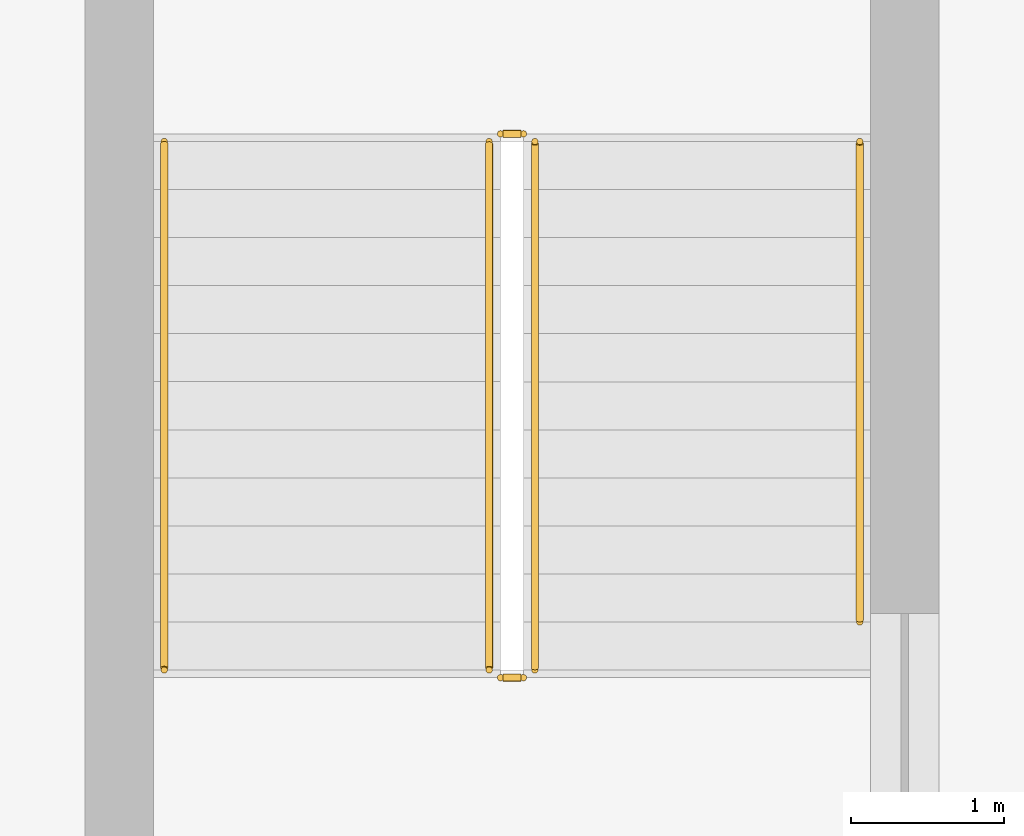
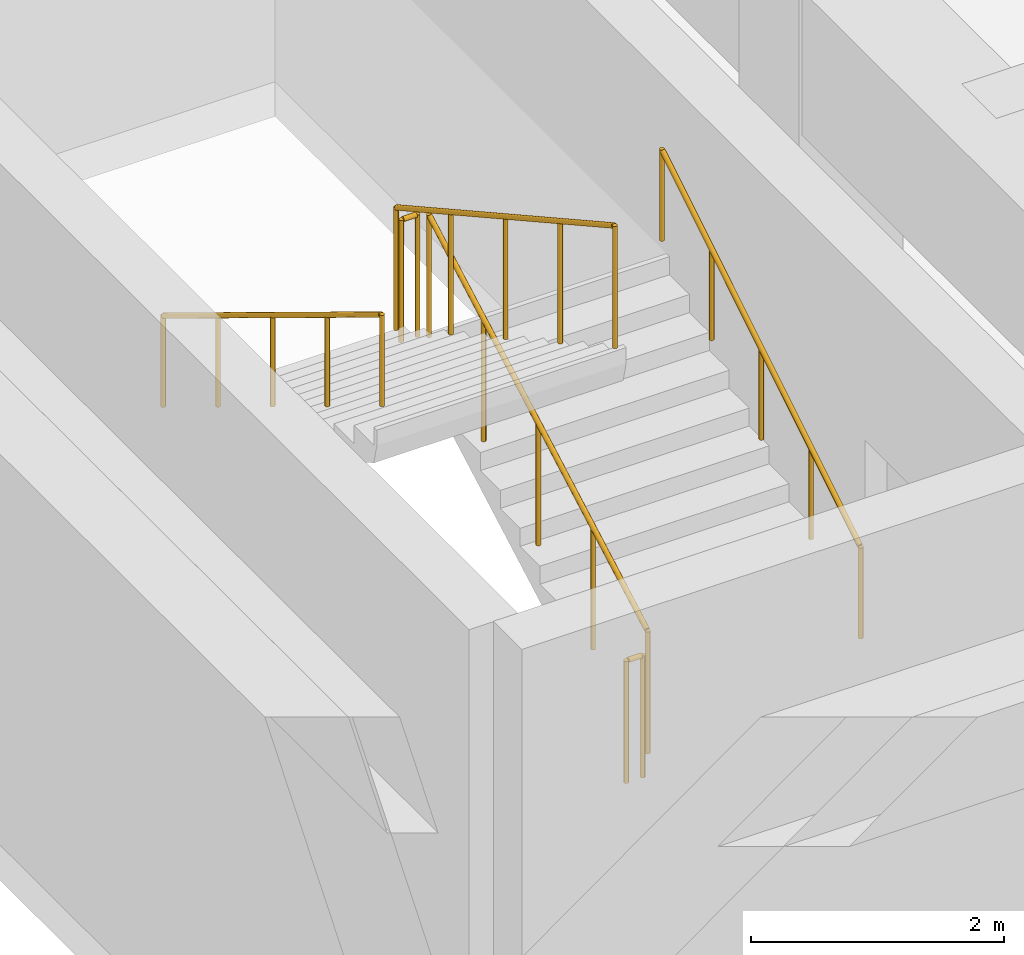
# One storey, part 21 of 39: 6 railings.
"""IFC4 building model written with IfcOpenShell, lengths in metres."""

from ifc_helpers import new_model, si_unit, direction, frame, origin, origin_2d, place, context, subcontext, project, spatial, circle, extrude, material, type_object, element, save


model = new_model("IFC4")

# Units and contexts
model_context = context("Model", 3, precision=1e-05, world=origin(), true_north=direction((0.0, 1.0)))
body_context = subcontext(model_context, "Body", "Model", "MODEL_VIEW")
ifc_project = project(units=[si_unit("LENGTHUNIT", "METRE"), si_unit("AREAUNIT", "SQUARE_METRE"), si_unit("VOLUMEUNIT", "CUBIC_METRE"), si_unit("PLANEANGLEUNIT", "RADIAN"), si_unit("MASSUNIT", "GRAM", prefix="KILO")], contexts=[model_context])

# Site, building, storey
site_placement = place(None, origin())
site = spatial("IfcSite", under=ifc_project, at=site_placement, CompositionType="ELEMENT")
building_placement = place(site_placement, origin())
building = spatial("IfcBuilding", under=site, at=building_placement, Name="Nakhvara Creek Congress Hotel", CompositionType="ELEMENT")
storey_placement = place(building_placement, frame((0.0, 0.0, -4.199951171875)))
storey = spatial("IfcBuildingStorey", under=building, at=storey_placement, Name="B1", CompositionType="ELEMENT", Elevation=-4.199951171875)

# Railings
ifc_material = material(Name="Brushed stainless steel 316L", Category="steel")
railing_type_1 = type_object("IfcRailingType", Name="RL-GUARD-1200", PredefinedType="GUARDRAIL", material=ifc_material)
railing_1_placement = place(storey_placement, frame((4.955078125, 38.679931640625, 0.175048828125)))
element("IfcRailing", 1, at=railing_1_placement, inside=storey, type_object=railing_type_1, Name="B1 ST05 stair guard 1", PredefinedType="GUARDRAIL", context=body_context, shape_type="SweptSolid", body=[
    extrude(circle(Radius=0.02392578125, at=origin_2d()), frame((0.0, 0.012939453125, 1.18310546875), z_axis=(0.0, 0.874183422646, 0.48559586445), x_axis=(-1.0, 0.0, 0.0)), (0.0, 0.0, 1.0), 3.934326171875),
    extrude(circle(Radius=0.02099609375, at=origin_2d()), origin(), (0.0, 0.0, 1.0), 1.1806640625),
    extrude(circle(Radius=0.02099609375, at=origin_2d()), frame((0.0, 0.8662109375, 0.481201171875)), (0.0, 0.0, 1.0), 1.1806640625),
    extrude(circle(Radius=0.02099609375, at=origin_2d()), frame((0.0, 1.732421875, 0.96240234375)), (0.0, 0.0, 1.0), 1.1806640625),
    extrude(circle(Radius=0.02099609375, at=origin_2d()), frame((0.0, 2.598876953125, 1.443603515625)), (0.0, 0.0, 1.0), 1.1806640625),
    extrude(circle(Radius=0.02099609375, at=origin_2d()), frame((0.0, 3.465087890625, 1.9248046875)), (0.0, 0.0, 1.0), 1.1806640625),
])
railing_2_placement = place(storey_placement, frame((4.8798828125, 42.195068359375, 2.099853515625)))
element("IfcRailing", 2, at=railing_2_placement, inside=storey, type_object=railing_type_1, Name="B1 ST05 stair guard 2", PredefinedType="GUARDRAIL", context=body_context, shape_type="SweptSolid", body=[
    extrude(circle(Radius=0.02392578125, at=origin_2d()), frame((-0.0146484375, 0.0, 1.17578125), z_axis=(-1.0, 0.0, 0.0), x_axis=(0.0, -1.0, 0.0)), (0.0, 0.0, 1.0), 0.12060546875),
    extrude(circle(Radius=0.02099609375, at=origin_2d()), origin(), (0.0, 0.0, 1.0), 1.1806640625),
    extrude(circle(Radius=0.02099609375, at=origin_2d()), frame((-0.14990234375, 0.0, 0.0)), (0.0, 0.0, 1.0), 1.1806640625),
])
railing_3_placement = place(storey_placement, frame((4.655029296875, 42.14501953125, 2.27490234375)))
element("IfcRailing", 3, at=railing_3_placement, inside=storey, type_object=railing_type_1, Name="B1 ST05 stair guard 3", PredefinedType="GUARDRAIL", context=body_context, shape_type="SweptSolid", body=[
    extrude(circle(Radius=0.02392578125, at=origin_2d()), frame((0.0, -0.012939453125, 1.18310546875), z_axis=(0.0, -0.874157276122, 0.485642931179), x_axis=(1.0, 0.0, 0.0)), (0.0, 0.0, 1.0), 3.9345703125),
    extrude(circle(Radius=0.02099609375, at=origin_2d()), origin(), (0.0, 0.0, 1.0), 1.1806640625),
    extrude(circle(Radius=0.02099609375, at=origin_2d()), frame((0.0, -0.8662109375, 0.481201171875)), (0.0, 0.0, 1.0), 1.1806640625),
    extrude(circle(Radius=0.02099609375, at=origin_2d()), frame((0.0, -1.732421875, 0.96240234375)), (0.0, 0.0, 1.0), 1.1806640625),
    extrude(circle(Radius=0.02099609375, at=origin_2d()), frame((0.0, -2.598876953125, 1.44384765625)), (0.0, 0.0, 1.0), 1.1806640625),
    extrude(circle(Radius=0.02099609375, at=origin_2d()), frame((0.0, -3.465087890625, 1.925048828125)), (0.0, 0.0, 1.0), 1.1806640625),
])
railing_4_placement = place(storey_placement, frame((4.8798828125, 38.6298828125, 0.0)))
element("IfcRailing", 4, at=railing_4_placement, inside=storey, type_object=railing_type_1, Name="B1 ST05 stair guard 4", PredefinedType="GUARDRAIL", context=body_context, shape_type="SweptSolid", body=[
    extrude(circle(Radius=0.02392578125, at=origin_2d()), frame((-0.0146484375, 0.0, 1.17578125), z_axis=(-1.0, 0.0, 0.0), x_axis=(0.0, -1.0, 0.0)), (0.0, 0.0, 1.0), 0.12060546875),
    extrude(circle(Radius=0.02099609375, at=origin_2d()), origin(), (0.0, 0.0, 1.0), 1.1806640625),
    extrude(circle(Radius=0.02099609375, at=origin_2d()), frame((-0.14990234375, 0.0, 0.0)), (0.0, 0.0, 1.0), 1.1806640625),
])
railing_type_2 = type_object("IfcRailingType", Name="RL-HAND-900", PredefinedType="HANDRAIL", material=ifc_material)
railing_5_placement = place(storey_placement, frame((7.0849609375, 38.9951171875, 0.349853515625)))
element("IfcRailing", 5, at=railing_5_placement, inside=storey, type_object=railing_type_2, Name="B1 ST05 stair handrail 1", PredefinedType="HANDRAIL", context=body_context, shape_type="SweptSolid", body=[
    extrude(circle(Radius=0.02392578125, at=origin_2d()), frame((0.0, 0.012451171875, 0.883544921875), z_axis=(0.0, 0.85194385619, 0.523633140567), x_axis=(-1.0, 0.0, 0.0)), (0.0, 0.0, 1.0), 3.66796875),
    extrude(circle(Radius=0.02099609375, at=origin_2d()), origin(), (0.0, 0.0, 1.0), 0.880615234375),
    extrude(circle(Radius=0.02099609375, at=origin_2d()), frame((0.0, 0.78759765625, 0.48388671875)), (0.0, 0.0, 1.0), 0.880615234375),
    extrude(circle(Radius=0.02099609375, at=origin_2d()), frame((0.0, 1.574951171875, 0.968017578125)), (0.0, 0.0, 1.0), 0.880615234375),
    extrude(circle(Radius=0.02099609375, at=origin_2d()), frame((0.0, 2.3623046875, 1.4521484375)), (0.0, 0.0, 1.0), 0.880615234375),
    extrude(circle(Radius=0.02099609375, at=origin_2d()), frame((0.0, 3.14990234375, 1.93603515625)), (0.0, 0.0, 1.0), 0.880615234375),
])
railing_6_placement = place(storey_placement, frame((2.52490234375, 42.14501953125, 2.27490234375)))
element("IfcRailing", 6, at=railing_6_placement, inside=storey, type_object=railing_type_2, Name="B1 ST05 stair handrail 2", PredefinedType="HANDRAIL", context=body_context, shape_type="SweptSolid", body=[
    extrude(circle(Radius=0.02392578125, at=origin_2d()), frame((0.0, -0.012451171875, 0.883544921875), z_axis=(0.0, -0.853990507121, 0.520288586985), x_axis=(1.0, 0.0, 0.0)), (0.0, 0.0, 1.0), 4.028076171875),
    extrude(circle(Radius=0.02099609375, at=origin_2d()), origin(), (0.0, 0.0, 1.0), 0.880615234375),
    extrude(circle(Radius=0.02099609375, at=origin_2d()), frame((0.0, -0.8662109375, 0.52783203125)), (0.0, 0.0, 1.0), 0.880615234375),
    extrude(circle(Radius=0.02099609375, at=origin_2d()), frame((0.0, -1.732421875, 1.0556640625)), (0.0, 0.0, 1.0), 0.880615234375),
    extrude(circle(Radius=0.02099609375, at=origin_2d()), frame((0.0, -2.598876953125, 1.583251953125)), (0.0, 0.0, 1.0), 0.880615234375),
    extrude(circle(Radius=0.02099609375, at=origin_2d()), frame((0.0, -3.465087890625, 2.111083984375)), (0.0, 0.0, 1.0), 0.880615234375),
])

save(model, "model.ifc")
